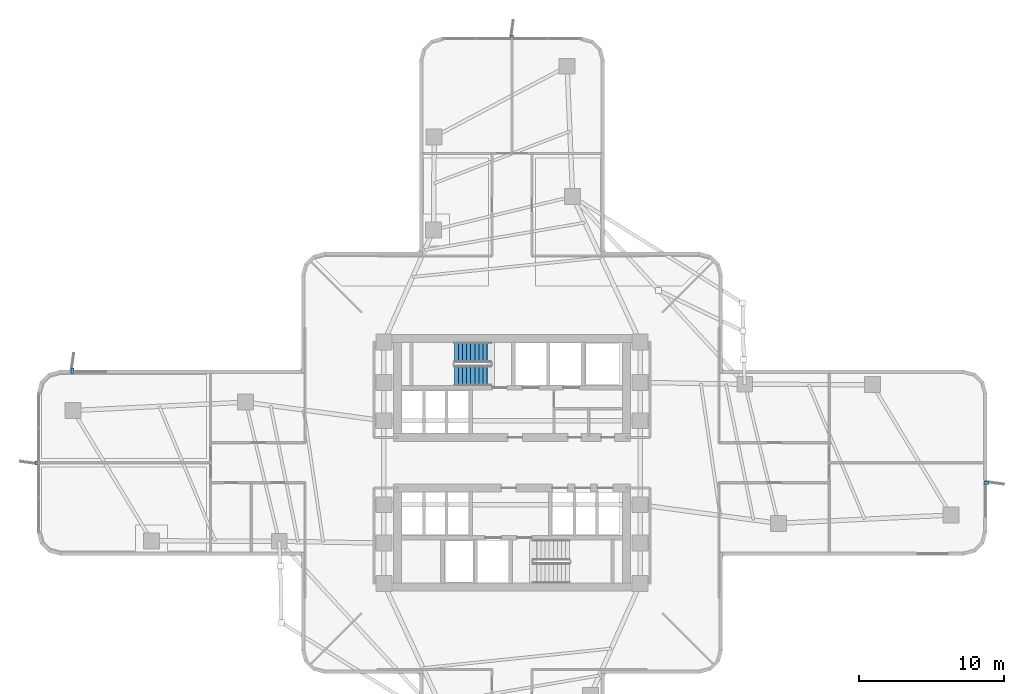
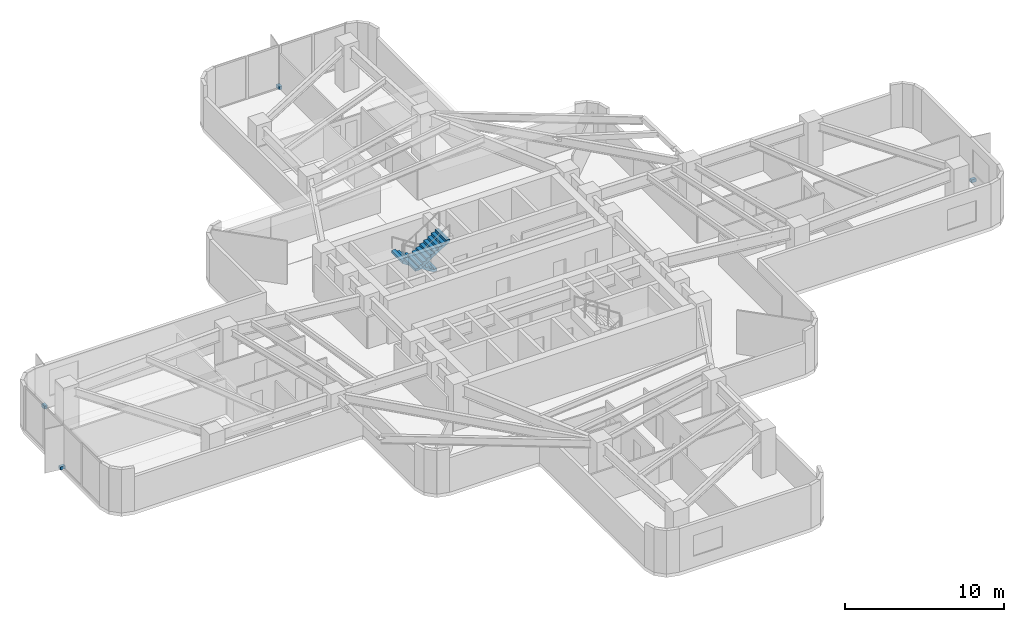
# One storey, part 11 of 14: 4 discrete accessories, 2 stair flights, 1 element without a shape of its own.
"""IFC4 building model written with IfcOpenShell, lengths in metres."""

from ifc_helpers import new_model, si_unit, direction, frame, origin, origin_2d, place, context, subcontext, project, spatial, polyline, rectangle, outline, extrude, material, type_object, element, aggregate, save


model = new_model("IFC4")

# Units and contexts
model_context = context("Model", 3, precision=1e-05, world=origin(), true_north=direction((0.0, 1.0)))
body_context = subcontext(model_context, "Body", "Model", "MODEL_VIEW")
ifc_project = project(units=[si_unit("LENGTHUNIT", "METRE"), si_unit("AREAUNIT", "SQUARE_METRE"), si_unit("VOLUMEUNIT", "CUBIC_METRE"), si_unit("PLANEANGLEUNIT", "RADIAN"), si_unit("MASSUNIT", "GRAM", prefix="KILO")], contexts=[model_context])

# Site, building, storey
site_placement = place(None, origin())
site = spatial("IfcSite", under=ifc_project, at=site_placement, CompositionType="ELEMENT")
building_placement = place(site_placement, origin())
building = spatial("IfcBuilding", under=site, at=building_placement, Name="Solmarez Civic Tower", CompositionType="ELEMENT")
storey_placement = place(building_placement, frame((0.0, 0.0, 31.679931640625)))
storey = spatial("IfcBuildingStorey", under=building, at=storey_placement, Name="L07", CompositionType="ELEMENT", Elevation=31.679931640625)

# Stair, stair flights
ifc_material_1 = material(Name="Concrete C50/60", Category="concrete")
stair_type = type_object("IfcStairType", Name="STAIR-DOGLEG-140W-20R-1800", PredefinedType="HALF_TURN_STAIR", material=ifc_material_1)
stair_placement = place(storey_placement, origin())
stair = element("IfcStair", 1, at=stair_placement, inside=storey, type_object=stair_type, Name="L07 North Core Protected Exit Stair ST-1", PredefinedType="HALF_TURN_STAIR")
stair_flight_type = type_object("IfcStairFlightType", Name="FLIGHT-DOGLEG-140W-10R-1800", PredefinedType="STRAIGHT", material=ifc_material_1)
stair_flight_1_placement = place(storey_placement, frame((-1.449951171875, 7.6201171875, 0.0), z_axis=(0.0, 0.0, 1.0), x_axis=(-1.0, 0.0, 0.0)))
stair_flight_1 = element("IfcStairFlight", 2, at=stair_flight_1_placement, type_object=stair_flight_type, Name="ST-1 flight 1", NumberOfRisers=10, NumberOfTreads=9, PredefinedType="STRAIGHT", RiserHeight=0.18, TreadLength=0.28, context=body_context, shape_type="SweptSolid", body=[
    extrude(outline(polyline([(0.0, 0.0), (0.0, 0.179931640625), (0.280029296875, 0.179931640625), (0.280029296875, 0.360107421875), (0.56005859375, 0.360107421875), (0.56005859375, 0.5400390625), (0.840087890625, 0.5400390625), (0.840087890625, 0.719970703125), (1.1201171875, 0.719970703125), (1.1201171875, 0.89990234375), (1.39990234375, 0.89990234375), (1.39990234375, 1.080078125), (1.679931640625, 1.080078125), (1.679931640625, 1.260009765625), (1.9599609375, 1.260009765625), (1.9599609375, 1.43994140625), (2.239990234375, 1.43994140625), (2.239990234375, 1.6201171875), (2.52001953125, 1.6201171875), (2.52001953125, 1.800048828125), (2.52001953125, 1.429931640625), (0.295654296875, 0.0), (0.0, 0.0)])), frame((0.0, 0.699951171875, 0.0), z_axis=(0.0, -1.0, 0.0), x_axis=(1.0, 0.0, 0.0)), (0.0, 0.0, 1.0), 1.39990234375),
])
stair_flight_2_placement = place(storey_placement, frame((-3.969970703125, 6.02001953125, 1.800048828125), z_axis=(0.0, 0.0, 1.0), x_axis=(1.0, 0.0, 0.0)))
stair_flight_2 = element("IfcStairFlight", 3, at=stair_flight_2_placement, type_object=stair_flight_type, Name="ST-1 flight 2", NumberOfRisers=10, NumberOfTreads=9, PredefinedType="STRAIGHT", RiserHeight=0.18, TreadLength=0.28, context=body_context, shape_type="SweptSolid", body=[
    extrude(outline(polyline([(0.0, 0.0), (0.0, 0.179931640625), (0.280029296875, 0.179931640625), (0.280029296875, 0.360107421875), (0.56005859375, 0.360107421875), (0.56005859375, 0.5400390625), (0.840087890625, 0.5400390625), (0.840087890625, 0.719970703125), (1.1201171875, 0.719970703125), (1.1201171875, 0.89990234375), (1.39990234375, 0.89990234375), (1.39990234375, 1.080078125), (1.679931640625, 1.080078125), (1.679931640625, 1.260009765625), (1.9599609375, 1.260009765625), (1.9599609375, 1.43994140625), (2.239990234375, 1.43994140625), (2.239990234375, 1.6201171875), (2.52001953125, 1.6201171875), (2.52001953125, 1.800048828125), (2.52001953125, 1.429931640625), (0.295654296875, 0.0), (0.0, 0.0)])), frame((0.0, 0.699951171875, 0.0), z_axis=(0.0, -1.0, 0.0), x_axis=(1.0, 0.0, 0.0)), (0.0, 0.0, 1.0), 1.39990234375),
])
aggregate(stair, [stair_flight_1, stair_flight_2])

# Discrete accessories
ifc_material_2 = material(Name="Stainless Steel Grade 1.4401", Category="steel")
discrete_accessory_type = type_object("IfcDiscreteAccessoryType", Name="BRACKET-SS-FIN", PredefinedType="BRACKET", material=ifc_material_2)
for number, where, z_axis, x_axis, name in (
    (4, (-32.760009765625, 0.0, -0.06005859375), (0.0, 0.0, 1.0), (-1.0, 0.0, 0.0), "L07 Stainless Fin Support Bracket FIN-L07-01"),
    (5, (-30.35888671875, 6.360107421875, -0.06005859375), (0.0, 0.0, 1.0), (0.0, 1.0, 0.0), "L07 Stainless Fin Support Bracket FIN-L07-02"),
    (6, (0.0, 29.360107421875, -0.06005859375), (0.0, 0.0, 1.0), (0.0, 1.0, 0.0), "L07 Stainless Fin Support Bracket FIN-L07-03"),
    (7, (32.760009765625, -1.39306640625, -0.06005859375), (0.0, 0.0, 1.0), (1.0, 0.0, 0.0), "L07 Stainless Fin Support Bracket FIN-L07-04"),
):
    element("IfcDiscreteAccessory", number, at=place(storey_placement, frame(where, z_axis=z_axis, x_axis=x_axis)), inside=storey, type_object=discrete_accessory_type, Name=name, PredefinedType="BRACKET", context=body_context, shape_type="SweptSolid", body=[
        extrude(rectangle(XDim=0.360107421875, YDim=0.219970703125, at=origin_2d()), origin(), (0.0, 0.0, 1.0), 0.239990234375),
    ])

save(model, "model.ifc")
